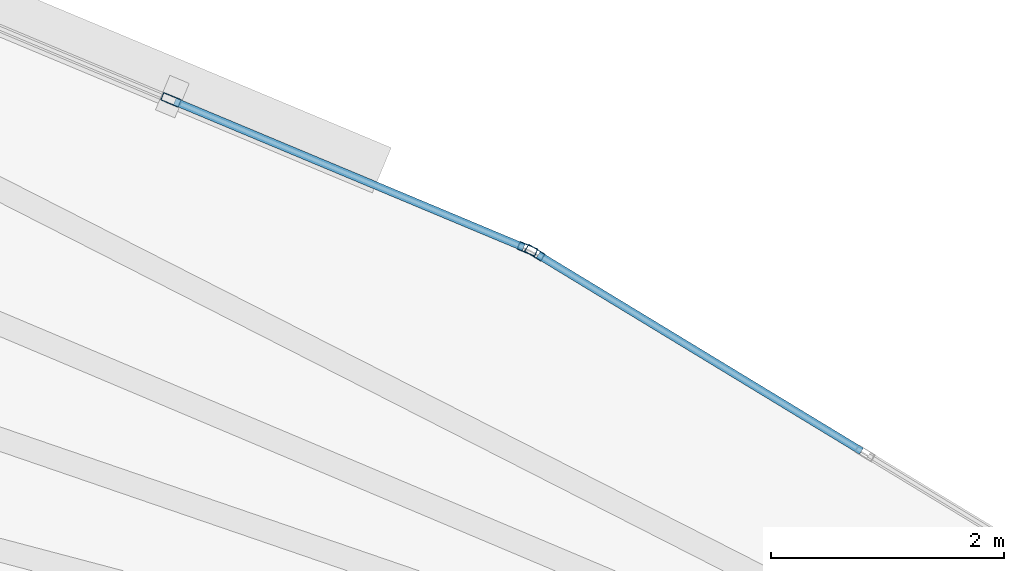
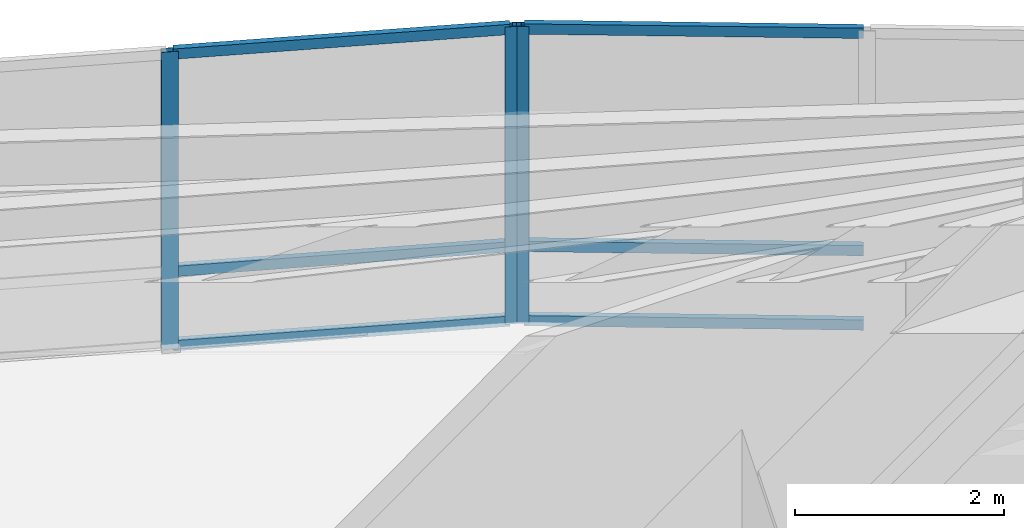
# One storey, part 12 of 17: 9 members, 2 elements without a shape of their own.
"""IFC4 building model written with IfcOpenShell, lengths in metres."""

from ifc_helpers import new_model, si_unit, direction, frame, origin, origin_2d, place, context, subcontext, project, spatial, hollow_rectangle, extrude, material, layer, layer_set, material_profile, profile_set, type_object, element, aggregate, save


model = new_model("IFC4")

# Units and contexts
model_context = context("Model", 3, precision=1e-05, world=origin(), true_north=direction((0.0, 1.0)))
body_context = subcontext(model_context, "Body", "Model", "MODEL_VIEW")
ifc_project = project(units=[si_unit("LENGTHUNIT", "METRE"), si_unit("AREAUNIT", "SQUARE_METRE"), si_unit("VOLUMEUNIT", "CUBIC_METRE"), si_unit("PLANEANGLEUNIT", "RADIAN"), si_unit("MASSUNIT", "GRAM", prefix="KILO")], contexts=[model_context])

# Site, building, storey
site_placement = place(None, origin())
site = spatial("IfcSite", under=ifc_project, at=site_placement, CompositionType="ELEMENT")
building_placement = place(site_placement, origin())
building = spatial("IfcBuilding", under=site, at=building_placement, Name="Menara Vayukalpa", CompositionType="ELEMENT")
storey_placement = place(building_placement, frame((0.0, 0.0, 38.760009765625)))
storey = spatial("IfcBuildingStorey", under=building, at=storey_placement, Name="L08", CompositionType="ELEMENT", Elevation=38.760009765625)

# Curtain wall, member
ifc_material_1 = material(Name="Anodised Terracotta Aluminium Alloy 6063-T6", Category="masonry")
ifc_layer = layer(ifc_material_1, 0.1650390625)
ifc_layer_set = layer_set([ifc_layer], Name="Anodised Terracotta Aluminium Alloy 6063-T6")
curtain_wall_type = type_object("IfcCurtainWallType", Name="CW-CW2", PredefinedType="USERDEFINED", material=ifc_layer_set)
curtain_wall_1_placement = place(storey_placement, origin())
curtain_wall_1 = element("IfcCurtainWall", 1, at=curtain_wall_1_placement, inside=storey, type_object=curtain_wall_type, Name="L08 Low Rise Terracotta Ribbon Curtain Wall CW2 04", ObjectType="UNITISED", PredefinedType="USERDEFINED")
ifc_material_2 = material(Name="Anodised Terracotta Aluminium Alloy 6063-T6", Category="masonry")
ifc_material_profile_1 = material_profile(ifc_material_2, hollow_rectangle(XDim=0.070068359375, YDim=0.1650390625, WallThickness=0.00390625, at=origin_2d()), Name="ALU 70x165x4")
ifc_profile_set_1 = profile_set([ifc_material_profile_1], Name="Anodised Terracotta Aluminium Alloy 6063-T6")
member_type_1 = type_object("IfcMemberType", Name="CWM-CW2", PredefinedType="MULLION", material=ifc_profile_set_1)
member_1_placement = place(storey_placement, frame((30.125, 32.30126953125, 0.0), z_axis=(0.0, 0.0, 1.0), x_axis=(-0.519181964377, -0.854663727945, 0.0)))
member_1 = element("IfcMember", 2, at=member_1_placement, type_object=member_type_1, Name="CW2 mullion 3", PredefinedType="MULLION", context=body_context, shape_type="SweptSolid", body=[
    extrude(hollow_rectangle(XDim=0.070068359375, YDim=0.1650390625, WallThickness=0.00390625, at=origin_2d()), origin(), (0.0, 0.0, 1.0), 3.469970703125),
])

# Curtain wall, members
curtain_wall_2_placement = place(storey_placement, origin())
curtain_wall_2 = element("IfcCurtainWall", 3, at=curtain_wall_2_placement, inside=storey, type_object=curtain_wall_type, Name="L08 Low Rise Terracotta Ribbon Curtain Wall CW2 05", ObjectType="UNITISED", PredefinedType="USERDEFINED")
member_2_placement = place(storey_placement, frame((30.062744140625, 32.3330078125, 0.0), z_axis=(0.0, 0.0, 1.0), x_axis=(-0.385895120445, -0.922542658101, 0.0)))
member_2 = element("IfcMember", 4, at=member_2_placement, type_object=member_type_1, Name="CW2 mullion 1", PredefinedType="MULLION", context=body_context, shape_type="SweptSolid", body=[
    extrude(hollow_rectangle(XDim=0.070068359375, YDim=0.1650390625, WallThickness=0.00390625, at=origin_2d()), origin(), (0.0, 0.0, 1.0), 3.469970703125),
])
member_3_placement = place(storey_placement, frame((27.0068359375, 33.611083984375, 0.0), z_axis=(0.0, 0.0, 1.0), x_axis=(-0.385895120445, -0.922542658101, 0.0)))
member_3 = element("IfcMember", 5, at=member_3_placement, type_object=member_type_1, Name="CW2 mullion 2", PredefinedType="MULLION", context=body_context, shape_type="SweptSolid", body=[
    extrude(hollow_rectangle(XDim=0.070068359375, YDim=0.1650390625, WallThickness=0.00390625, at=origin_2d()), origin(), (0.0, 0.0, 1.0), 3.469970703125),
])

# Member
ifc_material_3 = material(Name="Anodised Terracotta Aluminium Alloy 6063-T6", Category="masonry")
ifc_material_profile_2 = material_profile(ifc_material_3, hollow_rectangle(XDim=0.06494140625, YDim=0.1201171875, WallThickness=0.00341796875, at=origin_2d()), Name="ALU 65x120x3.5")
ifc_profile_set_2 = profile_set([ifc_material_profile_2], Name="Anodised Terracotta Aluminium Alloy 6063-T6")
member_type_2 = type_object("IfcMemberType", Name="CWT-CW2", PredefinedType="USERDEFINED", material=ifc_profile_set_2)
member_4_placement = place(storey_placement, frame((32.92626953125, 30.599609375, 0.032470703125), z_axis=(-0.854676552714, 0.519160851992, 0.0), x_axis=(-0.519160851992, -0.854676552714, 0.0)))
member_4 = element("IfcMember", 6, at=member_4_placement, type_object=member_type_2, Name="CW2 transom 2.1", ObjectType="TRANSOM", PredefinedType="USERDEFINED", context=body_context, shape_type="SweptSolid", body=[
    extrude(hollow_rectangle(XDim=0.06494140625, YDim=0.1201171875, WallThickness=0.00341796875, at=origin_2d()), origin(), (0.0, 0.0, 1.0), 3.242431640625),
])

member_5_placement = place(storey_placement, frame((32.92626953125, 30.599609375, 0.89990234375), z_axis=(-0.854676552714, 0.519160851992, 0.0), x_axis=(-0.519160851992, -0.854676552714, 0.0)))
member_5 = element("IfcMember", 7, at=member_5_placement, type_object=member_type_2, Name="CW2 transom 2.2", ObjectType="TRANSOM", PredefinedType="USERDEFINED", context=body_context, shape_type="SweptSolid", body=[
    extrude(hollow_rectangle(XDim=0.06494140625, YDim=0.1201171875, WallThickness=0.00341796875, at=origin_2d()), origin(), (0.0, 0.0, 1.0), 3.242431640625),
])

member_6_placement = place(storey_placement, frame((32.92626953125, 30.599609375, 3.4375), z_axis=(-0.854676552714, 0.519160851992, 0.0), x_axis=(-0.519160851992, -0.854676552714, 0.0)))
member_6 = element("IfcMember", 8, at=member_6_placement, type_object=member_type_2, Name="CW2 transom 2.3", ObjectType="TRANSOM", PredefinedType="USERDEFINED", context=body_context, shape_type="SweptSolid", body=[
    extrude(hollow_rectangle(XDim=0.06494140625, YDim=0.1201171875, WallThickness=0.00341796875, at=origin_2d()), origin(), (0.0, 0.0, 1.0), 3.242431640625),
])

aggregate(curtain_wall_1, [member_1, member_4, member_5, member_6])

member_7_placement = place(storey_placement, frame((30.030517578125, 32.346435546875, 0.032470703125), z_axis=(-0.922552588381, 0.385871379699, 0.0), x_axis=(-0.385871379699, -0.922552588381, 0.0)))
member_7 = element("IfcMember", 9, at=member_7_placement, type_object=member_type_2, Name="CW2 transom 1.1", ObjectType="TRANSOM", PredefinedType="USERDEFINED", context=body_context, shape_type="SweptSolid", body=[
    extrude(hollow_rectangle(XDim=0.06494140625, YDim=0.1201171875, WallThickness=0.00341796875, at=origin_2d()), origin(), (0.0, 0.0, 1.0), 3.24267578125),
])

member_8_placement = place(storey_placement, frame((30.030517578125, 32.346435546875, 0.89990234375), z_axis=(-0.922552588381, 0.385871379699, 0.0), x_axis=(-0.385871379699, -0.922552588381, 0.0)))
member_8 = element("IfcMember", 10, at=member_8_placement, type_object=member_type_2, Name="CW2 transom 1.2", ObjectType="TRANSOM", PredefinedType="USERDEFINED", context=body_context, shape_type="SweptSolid", body=[
    extrude(hollow_rectangle(XDim=0.06494140625, YDim=0.1201171875, WallThickness=0.00341796875, at=origin_2d()), origin(), (0.0, 0.0, 1.0), 3.24267578125),
])

member_9_placement = place(storey_placement, frame((30.030517578125, 32.346435546875, 3.4375), z_axis=(-0.922552588381, 0.385871379699, 0.0), x_axis=(-0.385871379699, -0.922552588381, 0.0)))
member_9 = element("IfcMember", 11, at=member_9_placement, type_object=member_type_2, Name="CW2 transom 1.3", ObjectType="TRANSOM", PredefinedType="USERDEFINED", context=body_context, shape_type="SweptSolid", body=[
    extrude(hollow_rectangle(XDim=0.06494140625, YDim=0.1201171875, WallThickness=0.00341796875, at=origin_2d()), origin(), (0.0, 0.0, 1.0), 3.24267578125),
])

aggregate(curtain_wall_2, [member_2, member_3, member_7, member_8, member_9])

save(model, "model.ifc")
